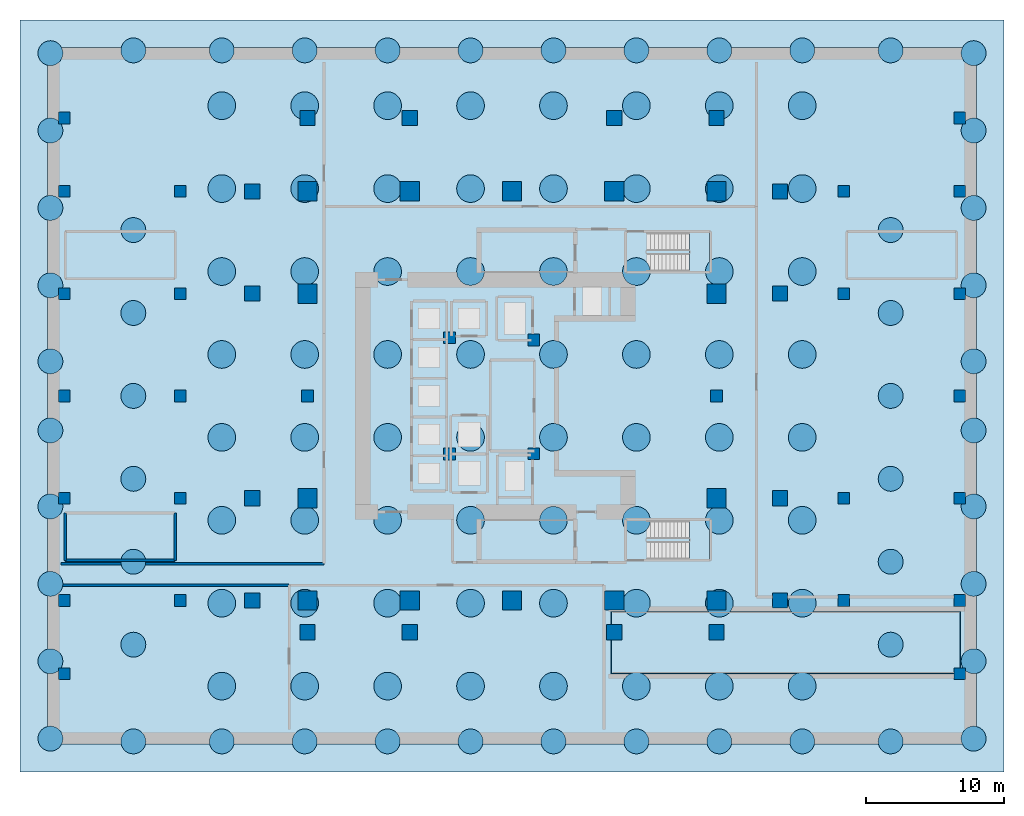
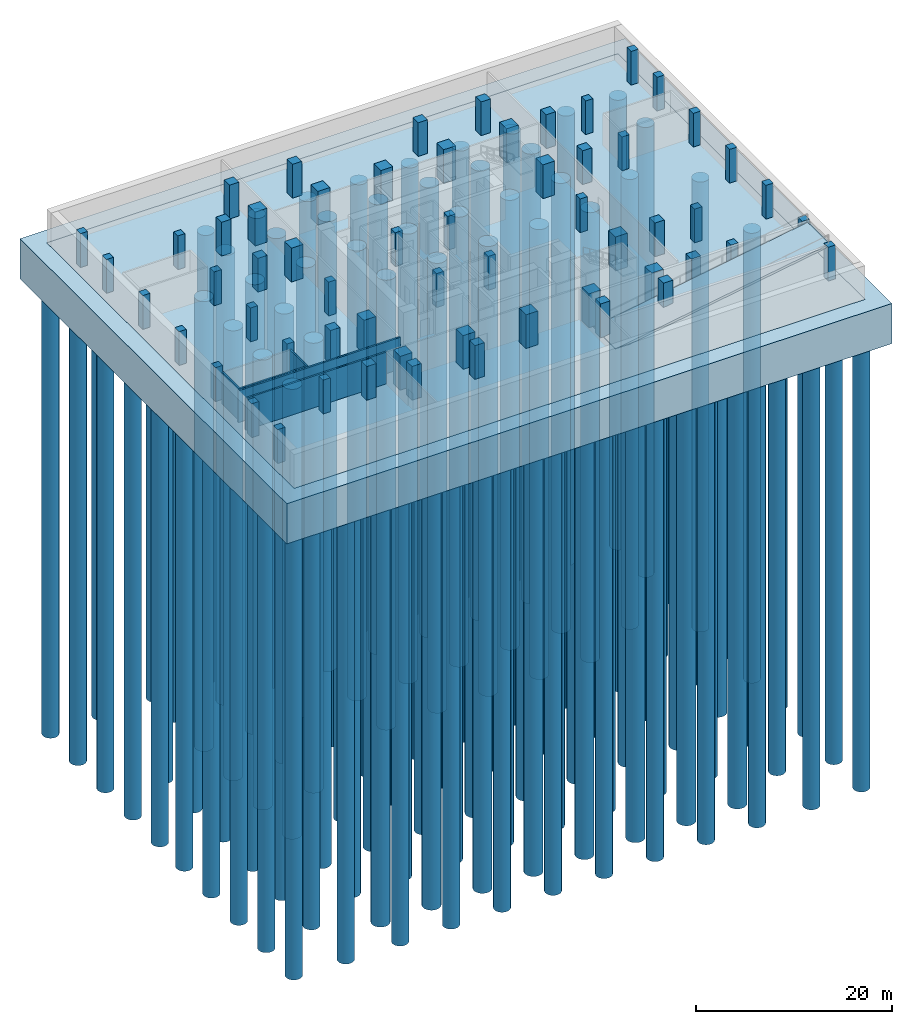
# One storey, part 1 of 6: 116 piles, 59 columns, 5 walls, 4 slabs, 1 footing, 2 elements without a shape of their own.
"""IFC4 building model written with IfcOpenShell, lengths in metres."""

from ifc_helpers import new_model, si_unit, direction, frame, frame_2d, origin, origin_2d, place, context, subcontext, project, spatial, polyline, rectangle, circle, outline, extrude, material, layer, layer_set, material_profile, profile_set, type_object, element, aggregate, save


model = new_model("IFC4")

# Units and contexts
model_context = context("Model", 3, precision=1e-05, world=origin(), true_north=direction((0.0, 1.0)))
body_context = subcontext(model_context, "Body", "Model", "MODEL_VIEW")
ifc_project = project(units=[si_unit("LENGTHUNIT", "METRE"), si_unit("AREAUNIT", "SQUARE_METRE"), si_unit("VOLUMEUNIT", "CUBIC_METRE"), si_unit("PLANEANGLEUNIT", "RADIAN"), si_unit("MASSUNIT", "GRAM", prefix="KILO")], contexts=[model_context])

# Site, building, storey
site_placement = place(None, origin())
site = spatial("IfcSite", under=ifc_project, at=site_placement, CompositionType="ELEMENT")
building_placement = place(site_placement, origin())
building = spatial("IfcBuilding", under=site, at=building_placement, Name="Khorvyn Point Tower", CompositionType="ELEMENT")
storey_placement = place(building_placement, frame((0.0, 0.0, -12.60009765625)))
storey = spatial("IfcBuildingStorey", under=building, at=storey_placement, Name="B3", CompositionType="ELEMENT", Elevation=-12.60009765625)

# Footing
ifc_material_1 = material(Name="Concrete C35/45", Category="concrete")
ifc_layer_1 = layer(ifc_material_1, 5.0)
ifc_layer_set_1 = layer_set([ifc_layer_1], Name="Concrete C35/45 Piled Raft Foundation 5000")
footing_type = type_object("IfcFootingType", Name="Concrete C35/45 Piled Raft Foundation 5000", PredefinedType="PILE_CAP", material=ifc_layer_set_1)
footing_placement = place(storey_placement, frame((0.0, 0.0, -5.0)))
element("IfcFooting", 1, at=footing_placement, inside=storey, type_object=footing_type, Name="B3 Monolithic Piled Raft Foundation", PredefinedType="PILE_CAP", context=body_context, shape_type="SweptSolid", body=[
    extrude(outline(polyline([(-35.60009765625, -27.199951171875), (35.60009765625, -27.199951171875), (35.60009765625, 27.199951171875), (-35.60009765625, 27.199951171875), (-35.60009765625, -27.199951171875)])), origin(), (0.0, 0.0, 1.0), 5.0),
])

# Piles
ifc_material_2 = material(Name="Concrete C40/50", Category="concrete")
ifc_material_profile_1 = material_profile(ifc_material_2, circle(Radius=0.89990234375, at=origin_2d()))
ifc_profile_set_1 = profile_set([ifc_material_profile_1], Name="Concrete C40/50 PILE-D1800")
pile_type_1 = type_object("IfcPileType", Name="Concrete C40/50 Bored Pile D1800", PredefinedType="BORED", material=ifc_profile_set_1)
for number, where, z_axis, x_axis, name in (
    (2, (-33.39990234375, -24.800048828125, -4.849853515625), (0.0, 0.0, -1.0), (1.0, 0.0, 0.0), "Bored Pile D1800 001"),
    (3, (-33.39990234375, -19.199951171875, -4.849853515625), (0.0, 0.0, -1.0), (1.0, 0.0, 0.0), "Bored Pile D1800 002"),
    (4, (-33.39990234375, -13.60009765625, -4.849853515625), (0.0, 0.0, -1.0), (1.0, 0.0, 0.0), "Bored Pile D1800 003"),
    (5, (-33.39990234375, -8.0, -4.849853515625), (0.0, 0.0, -1.0), (1.0, 0.0, 0.0), "Bored Pile D1800 004"),
    (6, (-33.39990234375, -2.5, -4.849853515625), (0.0, 0.0, -1.0), (1.0, 0.0, 0.0), "Bored Pile D1800 005"),
    (7, (-33.39990234375, 2.5, -4.849853515625), (0.0, 0.0, -1.0), (1.0, 0.0, 0.0), "Bored Pile D1800 006"),
    (8, (-33.39990234375, 8.0, -4.849853515625), (0.0, 0.0, -1.0), (1.0, 0.0, 0.0), "Bored Pile D1800 007"),
    (9, (-33.39990234375, 13.60009765625, -4.849853515625), (0.0, 0.0, -1.0), (1.0, 0.0, 0.0), "Bored Pile D1800 008"),
    (10, (-33.39990234375, 19.199951171875, -4.849853515625), (0.0, 0.0, -1.0), (1.0, 0.0, 0.0), "Bored Pile D1800 009"),
    (11, (-33.39990234375, 24.800048828125, -4.849853515625), (0.0, 0.0, -1.0), (1.0, 0.0, 0.0), "Bored Pile D1800 010"),
    (12, (33.39990234375, -24.800048828125, -4.849853515625), (0.0, 0.0, -1.0), (1.0, 0.0, 0.0), "Bored Pile D1800 011"),
    (13, (33.39990234375, -19.199951171875, -4.849853515625), (0.0, 0.0, -1.0), (1.0, 0.0, 0.0), "Bored Pile D1800 012"),
    (14, (33.39990234375, -13.60009765625, -4.849853515625), (0.0, 0.0, -1.0), (1.0, 0.0, 0.0), "Bored Pile D1800 013"),
    (15, (33.39990234375, -8.0, -4.849853515625), (0.0, 0.0, -1.0), (1.0, 0.0, 0.0), "Bored Pile D1800 014"),
    (16, (33.39990234375, -2.5, -4.849853515625), (0.0, 0.0, -1.0), (1.0, 0.0, 0.0), "Bored Pile D1800 015"),
    (17, (33.39990234375, 2.5, -4.849853515625), (0.0, 0.0, -1.0), (1.0, 0.0, 0.0), "Bored Pile D1800 016"),
    (18, (33.39990234375, 8.0, -4.849853515625), (0.0, 0.0, -1.0), (1.0, 0.0, 0.0), "Bored Pile D1800 017"),
    (19, (33.39990234375, 13.60009765625, -4.849853515625), (0.0, 0.0, -1.0), (1.0, 0.0, 0.0), "Bored Pile D1800 018"),
    (20, (33.39990234375, 19.199951171875, -4.849853515625), (0.0, 0.0, -1.0), (1.0, 0.0, 0.0), "Bored Pile D1800 019"),
    (21, (33.39990234375, 24.800048828125, -4.849853515625), (0.0, 0.0, -1.0), (1.0, 0.0, 0.0), "Bored Pile D1800 020"),
    (22, (-27.39990234375, -25.0, -4.849853515625), (0.0, 0.0, -1.0), (1.0, 0.0, 0.0), "Bored Pile D1800 021"),
    (23, (-21.0, -25.0, -4.849853515625), (0.0, 0.0, -1.0), (1.0, 0.0, 0.0), "Bored Pile D1800 022"),
    (24, (-15.0, -25.0, -4.849853515625), (0.0, 0.0, -1.0), (1.0, 0.0, 0.0), "Bored Pile D1800 023"),
    (25, (-9.0, -25.0, -4.849853515625), (0.0, 0.0, -1.0), (1.0, 0.0, 0.0), "Bored Pile D1800 024"),
    (26, (-3.0, -25.0, -4.849853515625), (0.0, 0.0, -1.0), (1.0, 0.0, 0.0), "Bored Pile D1800 025"),
    (27, (3.0, -25.0, -4.849853515625), (0.0, 0.0, -1.0), (1.0, 0.0, 0.0), "Bored Pile D1800 026"),
    (28, (9.0, -25.0, -4.849853515625), (0.0, 0.0, -1.0), (1.0, 0.0, 0.0), "Bored Pile D1800 027"),
    (29, (15.0, -25.0, -4.849853515625), (0.0, 0.0, -1.0), (1.0, 0.0, 0.0), "Bored Pile D1800 028"),
    (30, (21.0, -25.0, -4.849853515625), (0.0, 0.0, -1.0), (1.0, 0.0, 0.0), "Bored Pile D1800 029"),
    (31, (27.39990234375, -25.0, -4.849853515625), (0.0, 0.0, -1.0), (1.0, 0.0, 0.0), "Bored Pile D1800 030"),
    (32, (-27.39990234375, 25.0, -4.849853515625), (0.0, 0.0, -1.0), (1.0, 0.0, 0.0), "Bored Pile D1800 031"),
    (33, (-21.0, 25.0, -4.849853515625), (0.0, 0.0, -1.0), (1.0, 0.0, 0.0), "Bored Pile D1800 032"),
    (34, (-15.0, 25.0, -4.849853515625), (0.0, 0.0, -1.0), (1.0, 0.0, 0.0), "Bored Pile D1800 033"),
    (35, (-9.0, 25.0, -4.849853515625), (0.0, 0.0, -1.0), (1.0, 0.0, 0.0), "Bored Pile D1800 034"),
    (36, (-3.0, 25.0, -4.849853515625), (0.0, 0.0, -1.0), (1.0, 0.0, 0.0), "Bored Pile D1800 035"),
    (37, (3.0, 25.0, -4.849853515625), (0.0, 0.0, -1.0), (1.0, 0.0, 0.0), "Bored Pile D1800 036"),
    (38, (9.0, 25.0, -4.849853515625), (0.0, 0.0, -1.0), (1.0, 0.0, 0.0), "Bored Pile D1800 037"),
    (39, (15.0, 25.0, -4.849853515625), (0.0, 0.0, -1.0), (1.0, 0.0, 0.0), "Bored Pile D1800 038"),
    (40, (21.0, 25.0, -4.849853515625), (0.0, 0.0, -1.0), (1.0, 0.0, 0.0), "Bored Pile D1800 039"),
    (41, (27.39990234375, 25.0, -4.849853515625), (0.0, 0.0, -1.0), (1.0, 0.0, 0.0), "Bored Pile D1800 040"),
    (42, (-27.39990234375, -18.0, -4.849853515625), (0.0, 0.0, -1.0), (1.0, 0.0, 0.0), "Bored Pile D1800 041"),
    (43, (-27.39990234375, -12.0, -4.849853515625), (0.0, 0.0, -1.0), (1.0, 0.0, 0.0), "Bored Pile D1800 042"),
    (44, (-27.39990234375, -6.0, -4.849853515625), (0.0, 0.0, -1.0), (1.0, 0.0, 0.0), "Bored Pile D1800 043"),
    (45, (-27.39990234375, 0.0, -4.849853515625), (0.0, 0.0, -1.0), (1.0, 0.0, 0.0), "Bored Pile D1800 044"),
    (46, (-27.39990234375, 6.0, -4.849853515625), (0.0, 0.0, -1.0), (1.0, 0.0, 0.0), "Bored Pile D1800 045"),
    (47, (-27.39990234375, 12.0, -4.849853515625), (0.0, 0.0, -1.0), (1.0, 0.0, 0.0), "Bored Pile D1800 046"),
    (48, (27.39990234375, -18.0, -4.849853515625), (0.0, 0.0, -1.0), (1.0, 0.0, 0.0), "Bored Pile D1800 047"),
    (49, (27.39990234375, -12.0, -4.849853515625), (0.0, 0.0, -1.0), (1.0, 0.0, 0.0), "Bored Pile D1800 048"),
    (50, (27.39990234375, -6.0, -4.849853515625), (0.0, 0.0, -1.0), (1.0, 0.0, 0.0), "Bored Pile D1800 049"),
    (51, (27.39990234375, 0.0, -4.849853515625), (0.0, 0.0, -1.0), (1.0, 0.0, 0.0), "Bored Pile D1800 050"),
    (52, (27.39990234375, 6.0, -4.849853515625), (0.0, 0.0, -1.0), (1.0, 0.0, 0.0), "Bored Pile D1800 051"),
    (53, (27.39990234375, 12.0, -4.849853515625), (0.0, 0.0, -1.0), (1.0, 0.0, 0.0), "Bored Pile D1800 052"),
):
    element("IfcPile", number, at=place(storey_placement, frame(where, z_axis=z_axis, x_axis=x_axis)), inside=storey, type_object=pile_type_1, Name=name, PredefinedType="BORED", context=body_context, shape_type="SweptSolid", body=[
        extrude(circle(Radius=0.89990234375, at=origin_2d()), origin(), (0.0, 0.0, 1.0), 56.0),
    ])
ifc_material_profile_2 = material_profile(ifc_material_2, circle(Radius=1.0, at=origin_2d()))
ifc_profile_set_2 = profile_set([ifc_material_profile_2], Name="Concrete C40/50 PILE-D2000")
pile_type_2 = type_object("IfcPileType", Name="Concrete C40/50 Bored Pile D2000", PredefinedType="BORED", material=ifc_profile_set_2)
for number, where, z_axis, x_axis, name in (
    (54, (-21.0, -21.0, -4.849853515625), (0.0, 0.0, -1.0), (1.0, 0.0, 0.0), "Bored Pile D2000 001"),
    (55, (-21.0, -15.0, -4.849853515625), (0.0, 0.0, -1.0), (1.0, 0.0, 0.0), "Bored Pile D2000 002"),
    (56, (-21.0, -9.0, -4.849853515625), (0.0, 0.0, -1.0), (1.0, 0.0, 0.0), "Bored Pile D2000 003"),
    (57, (-21.0, -3.0, -4.849853515625), (0.0, 0.0, -1.0), (1.0, 0.0, 0.0), "Bored Pile D2000 004"),
    (58, (-21.0, 3.0, -4.849853515625), (0.0, 0.0, -1.0), (1.0, 0.0, 0.0), "Bored Pile D2000 005"),
    (59, (-21.0, 9.0, -4.849853515625), (0.0, 0.0, -1.0), (1.0, 0.0, 0.0), "Bored Pile D2000 006"),
    (60, (-21.0, 15.0, -4.849853515625), (0.0, 0.0, -1.0), (1.0, 0.0, 0.0), "Bored Pile D2000 007"),
    (61, (-21.0, 21.0, -4.849853515625), (0.0, 0.0, -1.0), (1.0, 0.0, 0.0), "Bored Pile D2000 008"),
    (62, (-15.0, -21.0, -4.849853515625), (0.0, 0.0, -1.0), (1.0, 0.0, 0.0), "Bored Pile D2000 009"),
    (63, (-15.0, -15.0, -4.849853515625), (0.0, 0.0, -1.0), (1.0, 0.0, 0.0), "Bored Pile D2000 010"),
    (64, (-15.0, -9.0, -4.849853515625), (0.0, 0.0, -1.0), (1.0, 0.0, 0.0), "Bored Pile D2000 011"),
    (65, (-15.0, -3.0, -4.849853515625), (0.0, 0.0, -1.0), (1.0, 0.0, 0.0), "Bored Pile D2000 012"),
    (66, (-15.0, 3.0, -4.849853515625), (0.0, 0.0, -1.0), (1.0, 0.0, 0.0), "Bored Pile D2000 013"),
    (67, (-15.0, 9.0, -4.849853515625), (0.0, 0.0, -1.0), (1.0, 0.0, 0.0), "Bored Pile D2000 014"),
    (68, (-15.0, 15.0, -4.849853515625), (0.0, 0.0, -1.0), (1.0, 0.0, 0.0), "Bored Pile D2000 015"),
    (69, (-15.0, 21.0, -4.849853515625), (0.0, 0.0, -1.0), (1.0, 0.0, 0.0), "Bored Pile D2000 016"),
    (70, (-9.0, -21.0, -4.849853515625), (0.0, 0.0, -1.0), (1.0, 0.0, 0.0), "Bored Pile D2000 017"),
    (71, (-9.0, -15.0, -4.849853515625), (0.0, 0.0, -1.0), (1.0, 0.0, 0.0), "Bored Pile D2000 018"),
    (72, (-9.0, -9.0, -4.849853515625), (0.0, 0.0, -1.0), (1.0, 0.0, 0.0), "Bored Pile D2000 019"),
    (73, (-9.0, -3.0, -4.849853515625), (0.0, 0.0, -1.0), (1.0, 0.0, 0.0), "Bored Pile D2000 020"),
    (74, (-9.0, 3.0, -4.849853515625), (0.0, 0.0, -1.0), (1.0, 0.0, 0.0), "Bored Pile D2000 021"),
    (75, (-9.0, 9.0, -4.849853515625), (0.0, 0.0, -1.0), (1.0, 0.0, 0.0), "Bored Pile D2000 022"),
    (76, (-9.0, 15.0, -4.849853515625), (0.0, 0.0, -1.0), (1.0, 0.0, 0.0), "Bored Pile D2000 023"),
    (77, (-9.0, 21.0, -4.849853515625), (0.0, 0.0, -1.0), (1.0, 0.0, 0.0), "Bored Pile D2000 024"),
    (78, (-3.0, -21.0, -4.849853515625), (0.0, 0.0, -1.0), (1.0, 0.0, 0.0), "Bored Pile D2000 025"),
    (79, (-3.0, -15.0, -4.849853515625), (0.0, 0.0, -1.0), (1.0, 0.0, 0.0), "Bored Pile D2000 026"),
    (80, (-3.0, -9.0, -4.849853515625), (0.0, 0.0, -1.0), (1.0, 0.0, 0.0), "Bored Pile D2000 027"),
    (81, (-3.0, -3.0, -4.849853515625), (0.0, 0.0, -1.0), (1.0, 0.0, 0.0), "Bored Pile D2000 028"),
    (82, (-3.0, 3.0, -4.849853515625), (0.0, 0.0, -1.0), (1.0, 0.0, 0.0), "Bored Pile D2000 029"),
    (83, (-3.0, 9.0, -4.849853515625), (0.0, 0.0, -1.0), (1.0, 0.0, 0.0), "Bored Pile D2000 030"),
    (84, (-3.0, 15.0, -4.849853515625), (0.0, 0.0, -1.0), (1.0, 0.0, 0.0), "Bored Pile D2000 031"),
    (85, (-3.0, 21.0, -4.849853515625), (0.0, 0.0, -1.0), (1.0, 0.0, 0.0), "Bored Pile D2000 032"),
    (86, (3.0, -21.0, -4.849853515625), (0.0, 0.0, -1.0), (1.0, 0.0, 0.0), "Bored Pile D2000 033"),
    (87, (3.0, -15.0, -4.849853515625), (0.0, 0.0, -1.0), (1.0, 0.0, 0.0), "Bored Pile D2000 034"),
    (88, (3.0, -9.0, -4.849853515625), (0.0, 0.0, -1.0), (1.0, 0.0, 0.0), "Bored Pile D2000 035"),
    (89, (3.0, -3.0, -4.849853515625), (0.0, 0.0, -1.0), (1.0, 0.0, 0.0), "Bored Pile D2000 036"),
    (90, (3.0, 3.0, -4.849853515625), (0.0, 0.0, -1.0), (1.0, 0.0, 0.0), "Bored Pile D2000 037"),
    (91, (3.0, 9.0, -4.849853515625), (0.0, 0.0, -1.0), (1.0, 0.0, 0.0), "Bored Pile D2000 038"),
    (92, (3.0, 15.0, -4.849853515625), (0.0, 0.0, -1.0), (1.0, 0.0, 0.0), "Bored Pile D2000 039"),
    (93, (3.0, 21.0, -4.849853515625), (0.0, 0.0, -1.0), (1.0, 0.0, 0.0), "Bored Pile D2000 040"),
    (94, (9.0, -21.0, -4.849853515625), (0.0, 0.0, -1.0), (1.0, 0.0, 0.0), "Bored Pile D2000 041"),
    (95, (9.0, -15.0, -4.849853515625), (0.0, 0.0, -1.0), (1.0, 0.0, 0.0), "Bored Pile D2000 042"),
    (96, (9.0, -9.0, -4.849853515625), (0.0, 0.0, -1.0), (1.0, 0.0, 0.0), "Bored Pile D2000 043"),
    (97, (9.0, -3.0, -4.849853515625), (0.0, 0.0, -1.0), (1.0, 0.0, 0.0), "Bored Pile D2000 044"),
    (98, (9.0, 3.0, -4.849853515625), (0.0, 0.0, -1.0), (1.0, 0.0, 0.0), "Bored Pile D2000 045"),
    (99, (9.0, 9.0, -4.849853515625), (0.0, 0.0, -1.0), (1.0, 0.0, 0.0), "Bored Pile D2000 046"),
    (100, (9.0, 15.0, -4.849853515625), (0.0, 0.0, -1.0), (1.0, 0.0, 0.0), "Bored Pile D2000 047"),
    (101, (9.0, 21.0, -4.849853515625), (0.0, 0.0, -1.0), (1.0, 0.0, 0.0), "Bored Pile D2000 048"),
    (102, (15.0, -21.0, -4.849853515625), (0.0, 0.0, -1.0), (1.0, 0.0, 0.0), "Bored Pile D2000 049"),
    (103, (15.0, -15.0, -4.849853515625), (0.0, 0.0, -1.0), (1.0, 0.0, 0.0), "Bored Pile D2000 050"),
    (104, (15.0, -9.0, -4.849853515625), (0.0, 0.0, -1.0), (1.0, 0.0, 0.0), "Bored Pile D2000 051"),
    (105, (15.0, -3.0, -4.849853515625), (0.0, 0.0, -1.0), (1.0, 0.0, 0.0), "Bored Pile D2000 052"),
    (106, (15.0, 3.0, -4.849853515625), (0.0, 0.0, -1.0), (1.0, 0.0, 0.0), "Bored Pile D2000 053"),
    (107, (15.0, 9.0, -4.849853515625), (0.0, 0.0, -1.0), (1.0, 0.0, 0.0), "Bored Pile D2000 054"),
    (108, (15.0, 15.0, -4.849853515625), (0.0, 0.0, -1.0), (1.0, 0.0, 0.0), "Bored Pile D2000 055"),
    (109, (15.0, 21.0, -4.849853515625), (0.0, 0.0, -1.0), (1.0, 0.0, 0.0), "Bored Pile D2000 056"),
    (110, (21.0, -21.0, -4.849853515625), (0.0, 0.0, -1.0), (1.0, 0.0, 0.0), "Bored Pile D2000 057"),
    (111, (21.0, -15.0, -4.849853515625), (0.0, 0.0, -1.0), (1.0, 0.0, 0.0), "Bored Pile D2000 058"),
    (112, (21.0, -9.0, -4.849853515625), (0.0, 0.0, -1.0), (1.0, 0.0, 0.0), "Bored Pile D2000 059"),
    (113, (21.0, -3.0, -4.849853515625), (0.0, 0.0, -1.0), (1.0, 0.0, 0.0), "Bored Pile D2000 060"),
    (114, (21.0, 3.0, -4.849853515625), (0.0, 0.0, -1.0), (1.0, 0.0, 0.0), "Bored Pile D2000 061"),
    (115, (21.0, 9.0, -4.849853515625), (0.0, 0.0, -1.0), (1.0, 0.0, 0.0), "Bored Pile D2000 062"),
    (116, (21.0, 15.0, -4.849853515625), (0.0, 0.0, -1.0), (1.0, 0.0, 0.0), "Bored Pile D2000 063"),
    (117, (21.0, 21.0, -4.849853515625), (0.0, 0.0, -1.0), (1.0, 0.0, 0.0), "Bored Pile D2000 064"),
):
    element("IfcPile", number, at=place(storey_placement, frame(where, z_axis=z_axis, x_axis=x_axis)), inside=storey, type_object=pile_type_2, Name=name, PredefinedType="BORED", context=body_context, shape_type="SweptSolid", body=[
        extrude(circle(Radius=1.0, at=origin_2d()), origin(), (0.0, 0.0, 1.0), 56.0),
    ])

# Columns
ifc_material_profile_3 = material_profile(ifc_material_2, rectangle(XDim=0.85009765625, YDim=0.85009765625, at=origin_2d()))
ifc_profile_set_3 = profile_set([ifc_material_profile_3], Name="Concrete C40/50 RC850x850")
column_type_1 = type_object("IfcColumnType", Name="Concrete C40/50 Column RC850x850", PredefinedType="COLUMN", material=ifc_profile_set_3)
for number, where, z_axis, x_axis, name in (
    (118, (-4.52001953125, -4.199951171875, 0.0), (0.0, 0.0, 1.0), (1.0, 0.0, 0.0), "B3 Crown Core Spine Column 1"),
    (119, (1.580078125, -4.179931640625, 0.0), (0.0, 0.0, 1.0), (1.0, 0.0, 0.0), "B3 Crown Core Spine Column 2"),
    (120, (1.580078125, 4.050048828125, 0.0), (0.0, 0.0, 1.0), (1.0, 0.0, 0.0), "B3 Crown Core Spine Column 3"),
    (121, (-4.52001953125, 4.199951171875, 0.0), (0.0, 0.0, 1.0), (1.0, 0.0, 0.0), "B3 Crown Core Spine Column 4"),
    (122, (-32.39990234375, -14.800048828125, 0.0), (0.0, 0.0, 1.0), (1.0, 0.0, 0.0), "PC-B3--324--148"),
    (123, (-32.39990234375, -7.39990234375, 0.0), (0.0, 0.0, 1.0), (1.0, 0.0, 0.0), "PC-B3--324--074"),
    (124, (-32.39990234375, 0.0, 0.0), (0.0, 0.0, 1.0), (1.0, 0.0, 0.0), "PC-B3--324-+000"),
    (125, (-32.39990234375, 7.39990234375, 0.0), (0.0, 0.0, 1.0), (1.0, 0.0, 0.0), "PC-B3--324-+074"),
    (126, (-32.39990234375, 14.800048828125, 0.0), (0.0, 0.0, 1.0), (1.0, 0.0, 0.0), "PC-B3--324-+148"),
    (127, (-24.0, -14.800048828125, 0.0), (0.0, 0.0, 1.0), (1.0, 0.0, 0.0), "PC-B3--240--148"),
    (128, (-24.0, -7.39990234375, 0.0), (0.0, 0.0, 1.0), (1.0, 0.0, 0.0), "PC-B3--240--074"),
    (129, (-24.0, 0.0, 0.0), (0.0, 0.0, 1.0), (1.0, 0.0, 0.0), "PC-B3--240-+000"),
    (130, (-24.0, 7.39990234375, 0.0), (0.0, 0.0, 1.0), (1.0, 0.0, 0.0), "PC-B3--240-+074"),
    (131, (-24.0, 14.800048828125, 0.0), (0.0, 0.0, 1.0), (1.0, 0.0, 0.0), "PC-B3--240-+148"),
    (132, (-14.800048828125, 0.0, 0.0), (0.0, 0.0, 1.0), (1.0, 0.0, 0.0), "PC-B3--148-+000"),
    (133, (14.800048828125, 0.0, 0.0), (0.0, 0.0, 1.0), (1.0, 0.0, 0.0), "PC-B3-+148-+000"),
    (134, (24.0, -14.800048828125, 0.0), (0.0, 0.0, 1.0), (1.0, 0.0, 0.0), "PC-B3-+240--148"),
    (135, (24.0, -7.39990234375, 0.0), (0.0, 0.0, 1.0), (1.0, 0.0, 0.0), "PC-B3-+240--074"),
    (136, (24.0, 7.39990234375, 0.0), (0.0, 0.0, 1.0), (1.0, 0.0, 0.0), "PC-B3-+240-+074"),
    (137, (24.0, 14.800048828125, 0.0), (0.0, 0.0, 1.0), (1.0, 0.0, 0.0), "PC-B3-+240-+148"),
    (138, (32.39990234375, -14.800048828125, 0.0), (0.0, 0.0, 1.0), (1.0, 0.0, 0.0), "PC-B3-+324--148"),
    (139, (32.39990234375, -7.39990234375, 0.0), (0.0, 0.0, 1.0), (1.0, 0.0, 0.0), "PC-B3-+324--074"),
    (140, (32.39990234375, 0.0, 0.0), (0.0, 0.0, 1.0), (1.0, 0.0, 0.0), "PC-B3-+324-+000"),
    (141, (32.39990234375, 7.39990234375, 0.0), (0.0, 0.0, 1.0), (1.0, 0.0, 0.0), "PC-B3-+324-+074"),
    (142, (32.39990234375, 14.800048828125, 0.0), (0.0, 0.0, 1.0), (1.0, 0.0, 0.0), "PC-B3-+324-+148"),
    (143, (-32.39990234375, -20.10009765625, 0.0), (0.0, 0.0, 1.0), (1.0, 0.0, 0.0), "PCR-B3--32--20"),
    (144, (-32.39990234375, 20.10009765625, 0.0), (0.0, 0.0, 1.0), (1.0, 0.0, 0.0), "PCR-B3--32-+20"),
    (145, (32.39990234375, -20.10009765625, 0.0), (0.0, 0.0, 1.0), (1.0, 0.0, 0.0), "PCR-B3-+32--20"),
    (146, (32.39990234375, 20.10009765625, 0.0), (0.0, 0.0, 1.0), (1.0, 0.0, 0.0), "PCR-B3-+32-+20"),
):
    element("IfcColumn", number, at=place(storey_placement, frame(where, z_axis=z_axis, x_axis=x_axis)), inside=storey, type_object=column_type_1, Name=name, PredefinedType="COLUMN", context=body_context, shape_type="SweptSolid", body=[
        extrude(rectangle(XDim=0.85009765625, YDim=0.85009765625, at=origin_2d()), origin(), (0.0, 0.0, 1.0), 4.2001953125),
    ])
ifc_material_3 = material(Name="Concrete C45/55", Category="concrete")
ifc_material_profile_4 = material_profile(ifc_material_3, rectangle(XDim=1.10009765625, YDim=1.10009765625, at=origin_2d()))
ifc_profile_set_4 = profile_set([ifc_material_profile_4], Name="Concrete C45/55 RC1100x1100")
column_type_2 = type_object("IfcColumnType", Name="Concrete C45/55 Column RC1100x1100", PredefinedType="COLUMN", material=ifc_profile_set_4)
for number, where, z_axis, x_axis, name in (
    (147, (-18.800048828125, -14.800048828125, 0.0), (0.0, 0.0, 1.0), (1.0, 0.0, 0.0), "B3 Intermediate Column ICW--14"),
    (148, (-18.800048828125, -7.39990234375, 0.0), (0.0, 0.0, 1.0), (1.0, 0.0, 0.0), "B3 Intermediate Column ICW--7"),
    (149, (-18.800048828125, 7.39990234375, 0.0), (0.0, 0.0, 1.0), (1.0, 0.0, 0.0), "B3 Intermediate Column ICW-7"),
    (150, (-18.800048828125, 14.800048828125, 0.0), (0.0, 0.0, 1.0), (1.0, 0.0, 0.0), "B3 Intermediate Column ICW-14"),
    (151, (19.39990234375, -14.800048828125, 0.0), (0.0, 0.0, 1.0), (1.0, 0.0, 0.0), "B3 Intermediate Column ICE--14"),
    (152, (19.39990234375, -7.39990234375, 0.0), (0.0, 0.0, 1.0), (1.0, 0.0, 0.0), "B3 Intermediate Column ICE--7"),
    (153, (19.39990234375, 7.39990234375, 0.0), (0.0, 0.0, 1.0), (1.0, 0.0, 0.0), "B3 Intermediate Column ICE-7"),
    (154, (19.39990234375, 14.800048828125, 0.0), (0.0, 0.0, 1.0), (1.0, 0.0, 0.0), "B3 Intermediate Column ICE-14"),
    (155, (-14.800048828125, -17.10009765625, 0.0), (0.0, 0.0, 1.0), (1.0, 0.0, 0.0), "B3 Intermediate Column ICS--14"),
    (156, (-7.39990234375, -17.10009765625, 0.0), (0.0, 0.0, 1.0), (1.0, 0.0, 0.0), "B3 Intermediate Column ICS--7"),
    (157, (7.39990234375, -17.10009765625, 0.0), (0.0, 0.0, 1.0), (1.0, 0.0, 0.0), "B3 Intermediate Column ICS-7"),
    (158, (14.800048828125, -17.10009765625, 0.0), (0.0, 0.0, 1.0), (1.0, 0.0, 0.0), "B3 Intermediate Column ICS-14"),
    (159, (-14.800048828125, 20.10009765625, 0.0), (0.0, 0.0, 1.0), (1.0, 0.0, 0.0), "B3 Intermediate Column ICN--14"),
    (160, (-7.39990234375, 20.10009765625, 0.0), (0.0, 0.0, 1.0), (1.0, 0.0, 0.0), "B3 Intermediate Column ICN--7"),
    (161, (7.39990234375, 20.10009765625, 0.0), (0.0, 0.0, 1.0), (1.0, 0.0, 0.0), "B3 Intermediate Column ICN-7"),
    (162, (14.800048828125, 20.10009765625, 0.0), (0.0, 0.0, 1.0), (1.0, 0.0, 0.0), "B3 Intermediate Column ICN-14"),
):
    element("IfcColumn", number, at=place(storey_placement, frame(where, z_axis=z_axis, x_axis=x_axis)), inside=storey, type_object=column_type_2, Name=name, PredefinedType="COLUMN", context=body_context, shape_type="SweptSolid", body=[
        extrude(rectangle(XDim=1.10009765625, YDim=1.10009765625, at=origin_2d()), origin(), (0.0, 0.0, 1.0), 4.2001953125),
    ])
ifc_material_4 = material(Name="Concrete C50/60", Category="concrete")
ifc_material_profile_5 = material_profile(ifc_material_4, rectangle(XDim=1.39990234375, YDim=1.39990234375, at=origin_2d()))
ifc_profile_set_5 = profile_set([ifc_material_profile_5], Name="Concrete C50/60 RC1400x1400")
column_type_3 = type_object("IfcColumnType", Name="Concrete C50/60 Column RC1400x1400", PredefinedType="COLUMN", material=ifc_profile_set_5)
for number, where, z_axis, x_axis, name in (
    (163, (-14.800048828125, -14.800048828125, 0.0), (0.0, 0.0, 1.0), (1.0, 0.0, 0.0), "B3 Mega-Column MC-01"),
    (164, (-7.39990234375, -14.800048828125, 0.0), (0.0, 0.0, 1.0), (1.0, 0.0, 0.0), "B3 Mega-Column MC-02"),
    (165, (0.0, -14.800048828125, 0.0), (0.0, 0.0, 1.0), (1.0, 0.0, 0.0), "B3 Mega-Column MC-03"),
    (166, (7.39990234375, -14.800048828125, 0.0), (0.0, 0.0, 1.0), (1.0, 0.0, 0.0), "B3 Mega-Column MC-04"),
    (167, (14.800048828125, -14.800048828125, 0.0), (0.0, 0.0, 1.0), (1.0, 0.0, 0.0), "B3 Mega-Column MC-05"),
    (168, (-14.800048828125, 14.800048828125, 0.0), (0.0, 0.0, 1.0), (1.0, 0.0, 0.0), "B3 Mega-Column MC-06"),
    (169, (-7.39990234375, 14.800048828125, 0.0), (0.0, 0.0, 1.0), (1.0, 0.0, 0.0), "B3 Mega-Column MC-07"),
    (170, (0.0, 14.800048828125, 0.0), (0.0, 0.0, 1.0), (1.0, 0.0, 0.0), "B3 Mega-Column MC-08"),
    (171, (7.39990234375, 14.800048828125, 0.0), (0.0, 0.0, 1.0), (1.0, 0.0, 0.0), "B3 Mega-Column MC-09"),
    (172, (14.800048828125, 14.800048828125, 0.0), (0.0, 0.0, 1.0), (1.0, 0.0, 0.0), "B3 Mega-Column MC-10"),
    (173, (-14.800048828125, -7.39990234375, 0.0), (0.0, 0.0, 1.0), (1.0, 0.0, 0.0), "B3 Mega-Column MC-11"),
    (174, (-14.800048828125, 7.39990234375, 0.0), (0.0, 0.0, 1.0), (1.0, 0.0, 0.0), "B3 Mega-Column MC-12"),
    (175, (14.800048828125, -7.39990234375, 0.0), (0.0, 0.0, 1.0), (1.0, 0.0, 0.0), "B3 Mega-Column MC-13"),
    (176, (14.800048828125, 7.39990234375, 0.0), (0.0, 0.0, 1.0), (1.0, 0.0, 0.0), "B3 Mega-Column MC-14"),
):
    element("IfcColumn", number, at=place(storey_placement, frame(where, z_axis=z_axis, x_axis=x_axis)), inside=storey, type_object=column_type_3, Name=name, PredefinedType="COLUMN", context=body_context, shape_type="SweptSolid", body=[
        extrude(rectangle(XDim=1.39990234375, YDim=1.39990234375, at=origin_2d()), origin(), (0.0, 0.0, 1.0), 4.2001953125),
    ])

# Slab
ifc_layer_2 = layer(ifc_material_1, 0.300048828125)
ifc_layer_set_2 = layer_set([ifc_layer_2], Name="Concrete C35/45 Basement Base Slab 300")
slab_type_1 = type_object("IfcSlabType", Name="Concrete C35/45 Basement Base Slab 300", PredefinedType="BASESLAB", material=ifc_layer_set_2)
slab_1_placement = place(storey_placement, frame((0.0, 0.0, -0.2998046875)))
element("IfcSlab", 177, at=slab_1_placement, inside=storey, type_object=slab_type_1, Name="B3 Main Structural Base Slab", PredefinedType="BASESLAB", context=body_context, shape_type="SweptSolid", body=[
    extrude(outline(polyline([(-33.60009765625, 25.199951171875), (33.60009765625, 25.199951171875), (33.60009765625, -25.199951171875), (-33.60009765625, -25.199951171875), (-33.60009765625, 25.199951171875)]), holes=[polyline([(7.14990234375, -20.1201171875), (8.97998046875, -20.1201171875), (8.97998046875, -15.580078125), (7.14990234375, -15.580078125), (7.14990234375, -20.1201171875)])]), origin(), (0.0, 0.0, 1.0), 0.2998046875),
])

# Stair, slab
stair_type = type_object("IfcStairType", Name="Tower Concrete C40/50 Dogleg Exit Stair", PredefinedType="HALF_TURN_STAIR", material=ifc_material_2)
stair_1_placement = place(storey_placement, origin())
stair_1 = element("IfcStair", 178, at=stair_1_placement, inside=storey, type_object=stair_type, Name="B3 Basement Garage Smokeproof Stair South", PredefinedType="HALF_TURN_STAIR")
ifc_layer_3 = layer(ifc_material_2, 0.199951171875)
ifc_layer_set_3 = layer_set([ifc_layer_3], Name="Concrete C40/50 Stair Landing Slab 200")
slab_type_2 = type_object("IfcSlabType", Name="Concrete C40/50 Stair Landing Slab 200", PredefinedType="LANDING", material=ifc_layer_set_3)
slab_2_placement = place(storey_placement, frame((0.0, 0.0, 1.900146484375)))
slab_2 = element("IfcSlab", 179, at=slab_2_placement, type_object=slab_type_2, Name="ST-B1 landing 1", PredefinedType="LANDING", context=body_context, shape_type="SweptSolid", body=[
    extrude(outline(polyline([(12.830078125, -11.820068359375), (14.300048828125, -11.820068359375), (14.300048828125, -9.02001953125), (12.830078125, -9.02001953125), (12.830078125, -11.820068359375)])), origin(), (0.0, 0.0, 1.0), 0.199951171875),
])
aggregate(stair_1, [slab_2])

stair_2_placement = place(storey_placement, origin())
stair_2 = element("IfcStair", 180, at=stair_2_placement, inside=storey, type_object=stair_type, Name="B3 Basement Garage Smokeproof Stair North", PredefinedType="HALF_TURN_STAIR")
slab_3_placement = place(storey_placement, frame((0.0, 0.0, 1.900146484375)))
slab_3 = element("IfcSlab", 181, at=slab_3_placement, type_object=slab_type_2, Name="ST-B2 landing 1", PredefinedType="LANDING", context=body_context, shape_type="SweptSolid", body=[
    extrude(outline(polyline([(12.830078125, 9.02001953125), (14.300048828125, 9.02001953125), (14.300048828125, 11.820068359375), (12.830078125, 11.820068359375), (12.830078125, 9.02001953125)])), origin(), (0.0, 0.0, 1.0), 0.199951171875),
])
aggregate(stair_2, [slab_3])

# Slab
ifc_layer_4 = layer(ifc_material_2, 0.280029296875)
ifc_layer_set_4 = layer_set([ifc_layer_4], Name="Concrete C40/50 Vehicle Ramp Slab 280")
slab_type_3 = type_object("IfcSlabType", Name="Concrete C40/50 Vehicle Ramp Slab 280", PredefinedType="FLOOR", material=ifc_layer_set_4)
slab_4_placement = place(storey_placement, frame((7.199951171875, -20.10009765625, 0.0), z_axis=(-0.164406735659, 0.0, 0.986392632409), x_axis=(0.986392632409, 0.0, 0.164406735659)))
element("IfcSlab", 182, at=slab_4_placement, inside=storey, type_object=slab_type_3, Name="Basement Vehicle Ramp B3 to B2", PredefinedType="FLOOR", context=body_context, shape_type="SweptSolid", body=[
    extrude(outline(polyline([(0.0, 0.0), (25.547586573452122, 0.0), (25.547586573452122, 4.5), (0.0, 4.5), (0.0, 0.0)])), origin(), (0.0, 0.0, -1.0), 0.280029296875),
])

# Walls
ifc_material_5 = material(Name="Concrete C35/45 masonry blockwork", Category="masonry")
ifc_layer_5 = layer(ifc_material_5, 0.199951171875)
ifc_layer_set_5 = layer_set([ifc_layer_5], Name="Concrete C35/45 Blockwork Plant Compartment Wall 200")
wall_type_1 = type_object("IfcWallType", Name="Concrete C35/45 Blockwork Plant Compartment Wall 200", PredefinedType="SOLIDWALL", material=ifc_layer_set_5)
wall_1_placement = place(storey_placement, frame((-32.64990234375, -12.139892578125, 0.0), z_axis=(0.0, 0.0, 1.0), x_axis=(1.0, 0.0, 0.0)))
element("IfcWall", 183, at=wall_1_placement, inside=storey, type_object=wall_type_1, Name="Wall", PredefinedType="SOLIDWALL", context=body_context, shape_type="SweptSolid", body=[
    extrude(rectangle(XDim=19.0498046875, YDim=0.199951171875, at=frame_2d((9.52490234375, 0.0))), origin(), (0.0, 0.0, 1.0), 3.940185546875),
])
wall_2_placement = place(storey_placement, frame((-32.64990234375, -13.699951171875, 0.0), z_axis=(0.0, 0.0, 1.0), x_axis=(1.0, 0.0, 0.0)))
element("IfcWall", 184, at=wall_2_placement, inside=storey, type_object=wall_type_1, Name="Wall", PredefinedType="SOLIDWALL", context=body_context, shape_type="SweptSolid", body=[
    extrude(rectangle(XDim=16.52978515625, YDim=0.199951171875, at=frame_2d((8.264892578125, 0.0))), origin(), (0.0, 0.0, 1.0), 3.940185546875),
])
ifc_layer_6 = layer(ifc_material_2, 0.199951171875)
ifc_layer_set_6 = layer_set([ifc_layer_6], Name="Concrete C40/50 Structural Hoistway and Stair Shaft Wall 200")
wall_type_2 = type_object("IfcWallType", Name="Concrete C40/50 Structural Hoistway and Stair Shaft Wall 200", PredefinedType="SHEAR", material=ifc_layer_set_6)
for number, where, z_axis, x_axis, name in (
    (185, (-32.330078125, -11.89990234375, 0.0), (0.0, 0.0, 1.0), (0.0, 1.0, 0.0), "Wall"),
    (186, (-24.3701171875, -8.47998046875, 0.0), (0.0, 0.0, 1.0), (0.0, -1.0, 0.0), "Wall"),
):
    element("IfcWall", number, at=place(storey_placement, frame(where, z_axis=z_axis, x_axis=x_axis)), inside=storey, type_object=wall_type_2, Name=name, PredefinedType="SHEAR", context=body_context, shape_type="SweptSolid", body=[
        extrude(rectangle(XDim=3.419921875, YDim=0.199951171875, at=frame_2d((1.7099609375, 0.0))), origin(), (0.0, 0.0, 1.0), 3.940185546875),
    ])
wall_3_placement = place(storey_placement, frame((-24.3701171875, -11.89990234375, 0.0), z_axis=(0.0, 0.0, 1.0), x_axis=(-1.0, 0.0, 0.0)))
element("IfcWall", 187, at=wall_3_placement, inside=storey, type_object=wall_type_2, Name="Wall", PredefinedType="SHEAR", context=body_context, shape_type="SweptSolid", body=[
    extrude(rectangle(XDim=7.9599609375, YDim=0.199951171875, at=frame_2d((3.97998046875, 0.0))), origin(), (0.0, 0.0, 1.0), 3.940185546875),
])

save(model, "model.ifc")
